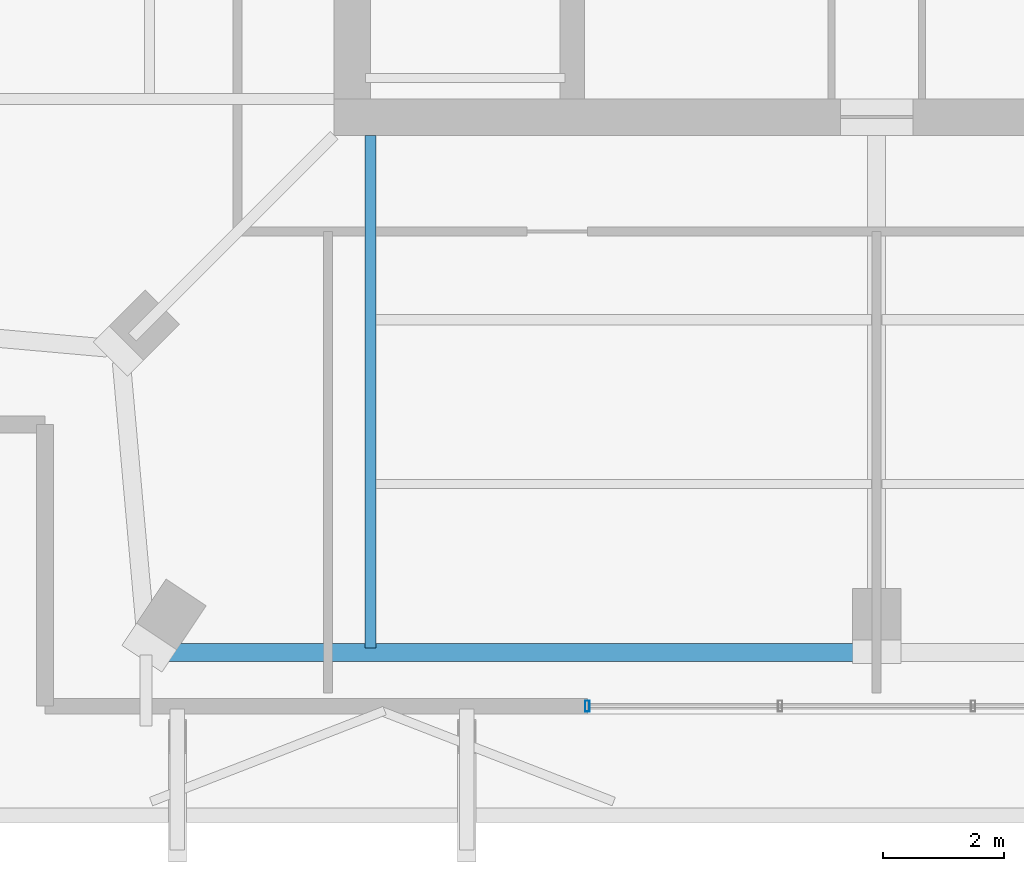
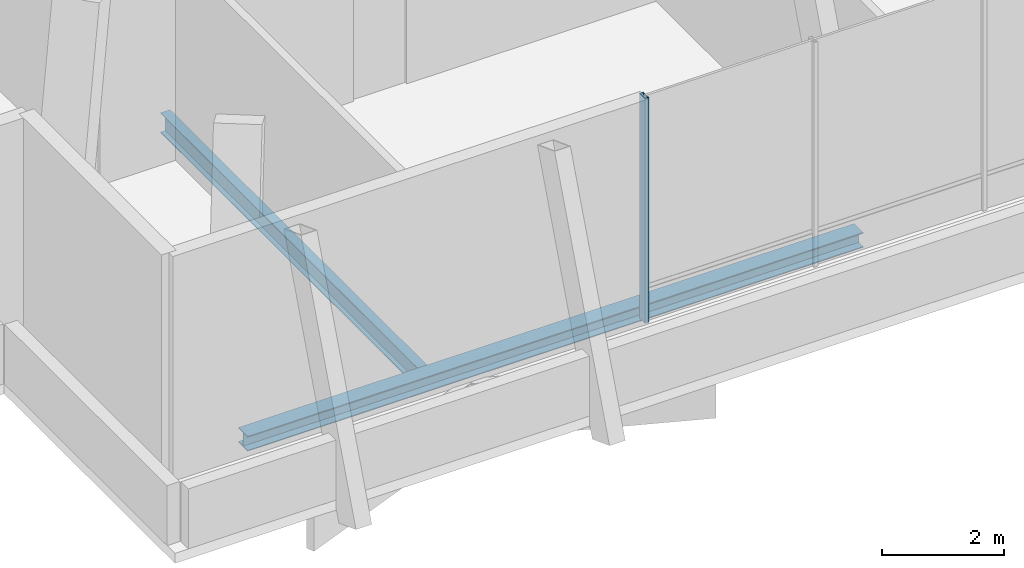
# One storey, part 2 of 18: 2 beams, 1 member, 1 element without a shape of its own.
"""IFC4 building model written with IfcOpenShell, lengths in metres."""

import ifcopenshell
import ifcopenshell.guid

model = None  # the IFC model being written
_history = None  # IfcOwnerHistory: only IFC2X3 demands one
_inside = {}  # id of a spatial element -> (the spatial element, [elements in it])
_under = {}  # id of a project, library or spatial element -> (it, [spatial elements below it])
_declared = {}  # id of a project -> (the project, [libraries it declares])
_typed = {}  # id of a type object -> (the type object, [elements of that type])
_made_of = {}  # id of a material, layer set ... -> (it, [elements and type objects made of it])


def new_model(schema):
    """Start an empty IFC model of exactly this schema.

    Asked for "IFC4X3", IfcOpenShell would pick the latest addendum, in which some entities
    have other attributes; the version numbers below select the first issue.
    IFC2X3 requires an IfcOwnerHistory on every rooted entity: one is made here for all.
    """
    global model, _history
    if schema == "IFC4X3":
        model = ifcopenshell.file(schema_version=(4, 3, 0, 0))
    else:
        model = ifcopenshell.file(schema=schema)
    _inside.clear()
    _under.clear()
    _declared.clear()
    _typed.clear()
    _made_of.clear()
    _history = None
    if model.schema == "IFC2X3":
        org = make("IfcOrganization", Name="unknown")
        user = make(
            "IfcPersonAndOrganization",
            ThePerson=make("IfcPerson", FamilyName="unknown"),
            TheOrganization=org,
        )
        app = make(
            "IfcApplication",
            ApplicationDeveloper=org,
            Version="unknown",
            ApplicationFullName="unknown",
            ApplicationIdentifier="unknown",
        )
        _history = make(
            "IfcOwnerHistory",
            OwningUser=user,
            OwningApplication=app,
            ChangeAction="ADDED",
            CreationDate=0,
        )
    return model


def make(cls, **values):
    """One entity of the class cls with the attributes given. An attribute that is None is left unset."""
    return model.create_entity(
        cls, **{name: value for name, value in values.items() if value is not None}
    )


def rooted(cls, **values):
    """An entity with a GlobalId (a new one), such as an element, a storey or a relation."""
    return make(cls, GlobalId=ifcopenshell.guid.new(), OwnerHistory=_history, **values)


def si_unit(unit_type, name, prefix=None):
    """IfcSIUnit, for example si_unit("LENGTHUNIT", "METRE", prefix="MILLI")."""
    return make("IfcSIUnit", UnitType=unit_type, Prefix=prefix, Name=name)


def assignment(units):
    """IfcUnitAssignment: the units of a project."""
    return None if units is None else make("IfcUnitAssignment", Units=units)


def point(xyz):
    """IfcCartesianPoint."""
    return None if xyz is None else make("IfcCartesianPoint", Coordinates=xyz)


def direction(xyz):
    """IfcDirection."""
    return None if xyz is None else make("IfcDirection", DirectionRatios=xyz)


def frame(location, z_axis=None, x_axis=None):
    """IfcAxis2Placement3D, a coordinate frame: its origin and axes. An axis left out is left unset."""
    return make(
        "IfcAxis2Placement3D",
        Location=point(location),
        Axis=direction(z_axis),
        RefDirection=direction(x_axis),
    )


def frame_2d(location, x_axis=None):
    """IfcAxis2Placement2D, a coordinate frame in the plane: its origin and x axis."""
    return make(
        "IfcAxis2Placement2D", Location=point(location), RefDirection=direction(x_axis)
    )


def origin():
    """The frame at (0, 0, 0) with its axes left unset."""
    return frame((0.0, 0.0, 0.0))


def origin_2d():
    """The frame at (0, 0) in the plane with its x axis left unset."""
    return frame_2d((0.0, 0.0))


def place(relative_to, where):
    """IfcLocalPlacement: puts the frame where relative to a parent placement (None: the world)."""
    return make(
        "IfcLocalPlacement", PlacementRelTo=relative_to, RelativePlacement=where
    )


def context(
    kind, dimensions, precision=None, world=None, true_north=None, identifier=None
):
    """IfcGeometricRepresentationContext, for example the 3D "Model" context."""
    return make(
        "IfcGeometricRepresentationContext",
        ContextIdentifier=identifier,
        ContextType=kind,
        CoordinateSpaceDimension=dimensions,
        Precision=precision,
        WorldCoordinateSystem=world,
        TrueNorth=true_north,
    )


def subcontext(parent, identifier, kind, view, scale=None):
    """IfcGeometricRepresentationSubContext, for example "Body" below "Model"."""
    return make(
        "IfcGeometricRepresentationSubContext",
        ContextIdentifier=identifier,
        ContextType=kind,
        ParentContext=parent,
        TargetScale=scale,
        TargetView=view,
    )


def project(units=None, contexts=None):
    """IfcProject with its units and contexts."""
    return rooted(
        "IfcProject",
        Name="project",
        RepresentationContexts=contexts,
        UnitsInContext=assignment(units),
    )


def spatial(cls, under=None, at=None, **own):
    """A site, building, storey or space (cls), placed at a placement, below another one or the project."""
    s = rooted(cls, ObjectPlacement=at, **own)
    if under is not None:
        _under.setdefault(under.id(), (under, []))[1].append(s)
    return s


def profile(cls, at=None, kind="AREA", **sizes):
    """A parametric profile (cls). Its sizes go by their IFC names, for example OverallWidth=200.0."""
    return make(cls, ProfileType=kind, Position=at, **sizes)


def hollow_rectangle(**sizes):
    """IfcRectangleHollowProfileDef."""
    return profile("IfcRectangleHollowProfileDef", **sizes)


def i_section(**sizes):
    """IfcIShapeProfileDef."""
    return profile("IfcIShapeProfileDef", **sizes)


def extrude(swept, where, along, depth):
    """IfcExtrudedAreaSolid: the profile swept, set in the frame where, extruded along a direction by depth."""
    return make(
        "IfcExtrudedAreaSolid",
        SweptArea=swept,
        Position=where,
        ExtrudedDirection=direction(along),
        Depth=depth,
    )


def shape(context_of_items, identifier, shape_type, items):
    """IfcShapeRepresentation: the items that make up one representation, for example the "Body"."""
    return make(
        "IfcShapeRepresentation",
        ContextOfItems=context_of_items,
        RepresentationIdentifier=identifier,
        RepresentationType=shape_type,
        Items=items,
    )


def material(Name=None, Category=None):
    """IfcMaterial."""
    return make("IfcMaterial", Name=Name, Category=Category)


def layer(
    of_material, thickness, ventilated=None, Name=None, Category=None, Priority=None
):
    """IfcMaterialLayer: one layer of a wall or slab, of a material (None: an air gap)."""
    return make(
        "IfcMaterialLayer",
        Material=of_material,
        LayerThickness=thickness,
        IsVentilated=ventilated,
        Name=Name,
        Category=Category,
        Priority=Priority,
    )


def layer_set(layers, Name=None):
    """IfcMaterialLayerSet."""
    return make("IfcMaterialLayerSet", MaterialLayers=layers, LayerSetName=Name)


def material_profile(
    of_material, cross_section, Name=None, Category=None, Priority=None
):
    """IfcMaterialProfile: a cross section and its material."""
    return make(
        "IfcMaterialProfile",
        Name=Name,
        Material=of_material,
        Profile=cross_section,
        Priority=Priority,
        Category=Category,
    )


def profile_set(profiles, Name=None, composite=None):
    """IfcMaterialProfileSet."""
    return make(
        "IfcMaterialProfileSet",
        Name=Name,
        MaterialProfiles=profiles,
        CompositeProfile=composite,
    )


def made_of(thing, what):
    """Note that an element or type object is made of a material, layer set ...; save() writes the relation."""
    if what is not None:
        _made_of.setdefault(what.id(), (what, []))[1].append(thing)
    return thing


def type_object(cls, material=None, **own):
    """A type object (cls), such as IfcWallType, which elements share."""
    return made_of(rooted(cls, **own), material)


def element(
    cls,
    number,
    at=None,
    inside=None,
    cuts=None,
    type_object=None,
    material=None,
    context=None,
    identifier="Body",
    shape_type=None,
    held_by="IfcProductDefinitionShape",
    body=None,
    shapes=None,
    **own,
):
    """One element of the class cls, such as IfcWall. Its Tag is "e" and its number.

    at: its placement. inside: the storey or other place that contains it. cuts: it is an
    opening in that element (IfcRelVoidsElement). A single representation is given by context,
    identifier, shape_type and body (its items); several are given by shapes. held_by: the class
    of the entity that holds the representations. save() writes the other relations.
    """
    e = rooted(cls, Tag="e%d" % number, ObjectPlacement=at, **own)
    if body is not None:
        shapes = [shape(context, identifier, shape_type, body)]
    if shapes is not None:
        e.Representation = make(held_by, Representations=shapes)
    if inside is not None:
        _inside.setdefault(inside.id(), (inside, []))[1].append(e)
    if cuts is not None:
        rooted(
            "IfcRelVoidsElement", RelatingBuildingElement=cuts, RelatedOpeningElement=e
        )
    if type_object is not None:
        _typed.setdefault(type_object.id(), (type_object, []))[1].append(e)
    return made_of(e, material)


def aggregate(whole, parts):
    """IfcRelAggregates: a whole, such as a stair, and the parts it consists of."""
    return rooted("IfcRelAggregates", RelatingObject=whole, RelatedObjects=parts)


def save(model, path):
    """Write the relations noted so far, then the file.

    IfcRelAggregates (storeys below a building ...), IfcRelContainedInSpatialStructure (elements
    in a storey), IfcRelDefinesByType, IfcRelAssociatesMaterial and IfcRelDeclares: one each for
    every whole, place, type object, material and project.
    """
    for whole, parts in _under.values():
        aggregate(whole, parts)
    for where, things in _inside.values():
        rooted(
            "IfcRelContainedInSpatialStructure",
            RelatedElements=things,
            RelatingStructure=where,
        )
    for kind, things in _typed.values():
        rooted("IfcRelDefinesByType", RelatedObjects=things, RelatingType=kind)
    for what, things in _made_of.values():
        rooted("IfcRelAssociatesMaterial", RelatedObjects=things, RelatingMaterial=what)
    for by, libraries in _declared.values():
        rooted("IfcRelDeclares", RelatingContext=by, RelatedDefinitions=libraries)
    model.write(path)


model = new_model("IFC4")

# Units and contexts
model_context = context("Model", 3, precision=1e-05, world=origin(), true_north=direction((0.0, 1.0)))
body_context = subcontext(model_context, "Body", "Model", "MODEL_VIEW")
ifc_project = project(units=[si_unit("LENGTHUNIT", "METRE"), si_unit("AREAUNIT", "SQUARE_METRE"), si_unit("VOLUMEUNIT", "CUBIC_METRE"), si_unit("PLANEANGLEUNIT", "RADIAN"), si_unit("MASSUNIT", "GRAM", prefix="KILO")], contexts=[model_context])

# Site, building, storey
site_placement = place(None, origin())
site = spatial("IfcSite", under=ifc_project, at=site_placement, CompositionType="ELEMENT")
building_placement = place(site_placement, origin())
building = spatial("IfcBuilding", under=site, at=building_placement, Name="Belovzor Exchange Tower", CompositionType="ELEMENT")
storey_placement = place(building_placement, frame((0.0, 0.0, 369.0)))
storey = spatial("IfcBuildingStorey", under=building, at=storey_placement, Name="L92", CompositionType="ELEMENT", Elevation=369.0)

# Beam
ifc_material_1 = material(Name="Steel S355", Category="steel")
ifc_material_profile_1 = material_profile(ifc_material_1, i_section(OverallWidth=0.300048828125, OverallDepth=0.300048828125, WebThickness=0.010986328125, FlangeThickness=0.01904296875, at=origin_2d()))
ifc_profile_set_1 = profile_set([ifc_material_profile_1], Name="Steel S355")
beam_type_1 = type_object("IfcBeamType", Name="Crown Plant Primary Beam HEB 300", PredefinedType="BEAM", material=ifc_profile_set_1)
beam_1_placement = place(storey_placement, frame((16.919921875, 11.219970703125, -0.449951171875), z_axis=(1.0, 0.0, 0.0), x_axis=(0.0, 1.0, 0.0)))
element("IfcBeam", 1, at=beam_1_placement, inside=storey, type_object=beam_type_1, Name="FG-CR Crown Plant Primary Beam HEB 300", PredefinedType="BEAM", context=body_context, shape_type="SweptSolid", body=[
    extrude(i_section(OverallWidth=0.300048828125, OverallDepth=0.300048828125, WebThickness=0.010986328125, FlangeThickness=0.01904296875, at=origin_2d()), origin(), (0.0, 0.0, 1.0), 11.66015625),
])

# Curtain wall, member
ifc_material_2 = material(Name="Anodised Aluminium Framing", Category="aluminium")
ifc_layer = layer(ifc_material_2, 0.169921875)
ifc_layer_set = layer_set([ifc_layer], Name="Anodised Aluminium Framing")
curtain_wall_type = type_object("IfcCurtainWallType", Name="Stepped Crown Faceted Lantern Curtain Wall", PredefinedType="NOTDEFINED", material=ifc_layer_set)
curtain_wall_placement = place(storey_placement, origin())
curtain_wall = element("IfcCurtainWall", 2, at=curtain_wall_placement, inside=storey, type_object=curtain_wall_type, Name="CW6 Stepped Crown Faceted Lantern Curtain Wall L92", PredefinedType="NOTDEFINED")
ifc_material_3 = material(Name="Steel S355", Category="steel")
ifc_material_profile_2 = material_profile(ifc_material_3, hollow_rectangle(XDim=0.074951171875, YDim=0.179931640625, WallThickness=0.0048828125, at=origin_2d()))
ifc_profile_set_2 = profile_set([ifc_material_profile_2], Name="Steel S355")
member_type = type_object("IfcMemberType", Name="Thermally Broken Curtain Wall Mullion 180x75", PredefinedType="MULLION", material=ifc_profile_set_2)
member_placement = place(storey_placement, frame((24.0, 10.330078125, 0.0), z_axis=(0.0, 0.0, 1.0), x_axis=(-1.0, 0.0, 0.0)))
member = element("IfcMember", 3, at=member_placement, type_object=member_type, Name="CW-M180 Curtain Wall Mullion 4", PredefinedType="MULLION", context=body_context, shape_type="SweptSolid", body=[
    extrude(hollow_rectangle(XDim=0.074951171875, YDim=0.179931640625, WallThickness=0.0048828125, at=origin_2d()), origin(), (0.0, 0.0, 1.0), 4.5),
])
aggregate(curtain_wall, [member])

# Beam
ifc_material_4 = material(Name="Steel S355", Category="steel")
ifc_material_profile_3 = material_profile(ifc_material_4, i_section(OverallWidth=0.179931640625, OverallDepth=0.39990234375, WebThickness=0.008544921875, FlangeThickness=0.013427734375, at=origin_2d()))
ifc_profile_set_3 = profile_set([ifc_material_profile_3], Name="Steel S355")
beam_type_2 = type_object("IfcBeamType", Name="Zone 5-6 Radial Composite Floor Beam IPE 400", PredefinedType="BEAM", material=ifc_profile_set_3)
beam_2_placement = place(storey_placement, frame((20.39990234375, 19.800048828125, -0.5), z_axis=(0.0, -1.0, 0.0), x_axis=(1.0, 0.0, 0.0)))
element("IfcBeam", 4, at=beam_2_placement, inside=storey, type_object=beam_type_2, Name="FB-400 Zone 5-6 Radial Composite Floor Beam IPE 400", PredefinedType="BEAM", context=body_context, shape_type="SweptSolid", body=[
    extrude(i_section(OverallWidth=0.179931640625, OverallDepth=0.39990234375, WebThickness=0.008544921875, FlangeThickness=0.013427734375, at=origin_2d()), origin(), (0.0, 0.0, 1.0), 8.505126953125),
])

save(model, "model.ifc")
